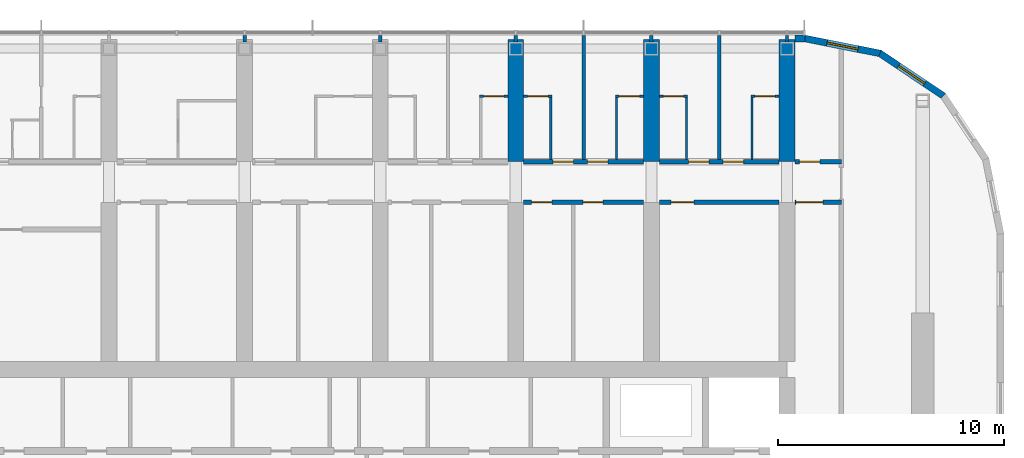
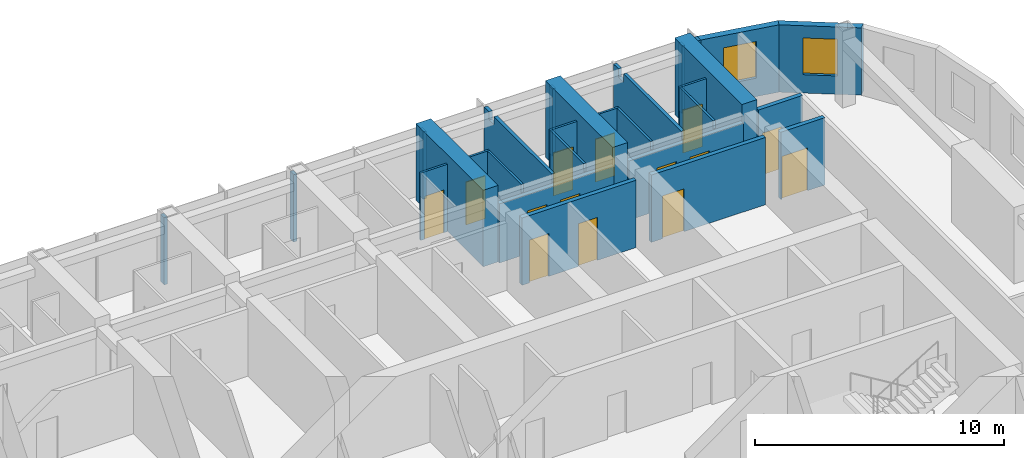
# One storey, part 18 of 24: 28 walls, 14 doors, 2 windows, 16 openings.
"""IFC4 building model written with IfcOpenShell, lengths in metres."""

from ifc_helpers import new_model, si_unit, direction, frame, frame_2d, origin, place, context, subcontext, project, spatial, polyline, rectangle, outline, extrude, material, layer, layer_set, type_object, element, fill, save


model = new_model("IFC4")

# Units and contexts
model_context = context("Model", 3, precision=1e-05, world=origin(), true_north=direction((0.0, 1.0)))
body_context = subcontext(model_context, "Body", "Model", "MODEL_VIEW")
ifc_project = project(units=[si_unit("LENGTHUNIT", "METRE"), si_unit("AREAUNIT", "SQUARE_METRE"), si_unit("VOLUMEUNIT", "CUBIC_METRE"), si_unit("PLANEANGLEUNIT", "RADIAN"), si_unit("MASSUNIT", "GRAM", prefix="KILO")], contexts=[model_context])

# Site, building, storey
site_placement = place(None, origin())
site = spatial("IfcSite", under=ifc_project, at=site_placement, CompositionType="ELEMENT")
building_placement = place(site_placement, origin())
building = spatial("IfcBuilding", under=site, at=building_placement, Name="Orbita Commons", CompositionType="ELEMENT")
storey_placement = place(building_placement, frame((0.0, 0.0, 242.800048828125)))
storey = spatial("IfcBuildingStorey", under=building, at=storey_placement, Name="L60", CompositionType="ELEMENT", Elevation=242.800048828125)

# Wall, openings, doors
ifc_material_1 = material(Name="Concrete blockwork", Category="masonry")
ifc_layer_1 = layer(ifc_material_1, 0.199951171875)
ifc_layer_set_1 = layer_set([ifc_layer_1], Name="Concrete blockwork")
wall_type_1 = type_object("IfcWallType", Name="Corridor wall 200 blockwork", PredefinedType="SOLIDWALL", material=ifc_layer_set_1)
wall_1_placement = place(storey_placement, frame((54.35009765625, 47.39990234375, 0.0), z_axis=(0.0, 0.0, 1.0), x_axis=(1.0, 0.0, 0.0)))
wall_1 = element("IfcWall", 1, at=wall_1_placement, inside=storey, type_object=wall_type_1, Name="Corridor wall 200 blockwork L60", PredefinedType="SOLIDWALL", context=body_context, shape_type="SweptSolid", body=[
    extrude(outline(polyline([(0.0, 0.0), (5.2998046875, 0.0), (5.300048828125, 2.89990234375), (0.0, 2.89990234375), (0.0, 0.0)])), frame((0.0, 0.10009765625, 0.0), z_axis=(0.0, -1.0, 0.0), x_axis=(1.0, 0.0, 0.0)), (0.0, 0.0, 1.0), 0.199951171875),
])
opening_1_placement = place(wall_1_placement, frame((1.300048828125, 0.0, 0.0)))
opening_1 = element("IfcOpeningElement", 2, at=opening_1_placement, cuts=wall_1, Name="Opening D11", PredefinedType="OPENING", context=body_context, shape_type="SweptSolid", body=[
    extrude(rectangle(XDim=0.89990234375, YDim=2.10009765625, at=frame_2d((0.449951171875, 1.050048828125))), frame((0.0, 0.10986328125, 0.0), z_axis=(0.0, -1.0, 0.0), x_axis=(1.0, 0.0, 0.0)), (0.0, 0.0, 1.0), 0.219970703125),
])
opening_2_placement = place(wall_1_placement, frame((2.824951171875, 0.0, 0.0)))
opening_2 = element("IfcOpeningElement", 3, at=opening_2_placement, cuts=wall_1, Name="Opening D11", PredefinedType="OPENING", context=body_context, shape_type="SweptSolid", body=[
    extrude(rectangle(XDim=0.89990234375, YDim=2.10009765625, at=frame_2d((0.449951171875, 1.050048828125))), frame((0.0, 0.10986328125, 0.0), z_axis=(0.0, -1.0, 0.0), x_axis=(1.0, 0.0, 0.0)), (0.0, 0.0, 1.0), 0.219970703125),
])
ifc_material_2 = material(Name="Steel-faced fire door leaf", Category="steel")
door_type_1 = type_object("IfcDoorType", Name="Corridor door 20 min 900x2100", OperationType="SINGLE_SWING_LEFT", PredefinedType="DOOR", material=ifc_material_2)
door_1_placement = place(opening_1_placement, origin())
door_1 = element("IfcDoor", 4, at=door_1_placement, inside=storey, type_object=door_type_1, Name="Cluster bedroom L60-N12 door", OperationType="SINGLE_SWING_LEFT", OverallHeight=2.10009765625, OverallWidth=0.89990234375, PredefinedType="DOOR", context=body_context, shape_type="SweptSolid", body=[
    extrude(rectangle(XDim=0.89990234375, YDim=2.10009765625, at=frame_2d((0.449951171875, 1.050048828125))), frame((0.0, 0.02490234375, 0.0), z_axis=(0.0, -1.0, 0.0), x_axis=(1.0, 0.0, 0.0)), (0.0, 0.0, 1.0), 0.050048828125),
])
fill(opening_1, door_1)
door_2_placement = place(opening_2_placement, origin())
door_2 = element("IfcDoor", 5, at=door_2_placement, inside=storey, type_object=door_type_1, Name="Cluster bedroom L60-N13 door", OperationType="SINGLE_SWING_LEFT", OverallHeight=2.10009765625, OverallWidth=0.89990234375, PredefinedType="DOOR", context=body_context, shape_type="SweptSolid", body=[
    extrude(rectangle(XDim=0.89990234375, YDim=2.10009765625, at=frame_2d((0.449951171875, 1.050048828125))), frame((0.0, 0.02490234375, 0.0), z_axis=(0.0, -1.0, 0.0), x_axis=(1.0, 0.0, 0.0)), (0.0, 0.0, 1.0), 0.050048828125),
])
fill(opening_2, door_2)

wall_2_placement = place(storey_placement, frame((60.35009765625, 47.39990234375, 0.0), z_axis=(0.0, 0.0, 1.0), x_axis=(1.0, 0.0, 0.0)))
wall_2 = element("IfcWall", 6, at=wall_2_placement, inside=storey, type_object=wall_type_1, Name="Corridor wall 200 blockwork L60", PredefinedType="SOLIDWALL", context=body_context, shape_type="SweptSolid", body=[
    extrude(outline(polyline([(0.0, 0.0), (5.2998046875, 0.0), (5.300048828125, 2.89990234375), (0.0, 2.89990234375), (0.0, 0.0)])), frame((0.0, 0.10009765625, 0.0), z_axis=(0.0, -1.0, 0.0), x_axis=(1.0, 0.0, 0.0)), (0.0, 0.0, 1.0), 0.199951171875),
])
opening_3_placement = place(wall_2_placement, frame((1.300048828125, 0.0, 0.0)))
opening_3 = element("IfcOpeningElement", 7, at=opening_3_placement, cuts=wall_2, Name="Opening D11", PredefinedType="OPENING", context=body_context, shape_type="SweptSolid", body=[
    extrude(rectangle(XDim=0.89990234375, YDim=2.10009765625, at=frame_2d((0.449951171875, 1.050048828125))), frame((0.0, 0.10986328125, 0.0), z_axis=(0.0, -1.0, 0.0), x_axis=(1.0, 0.0, 0.0)), (0.0, 0.0, 1.0), 0.219970703125),
])
opening_4_placement = place(wall_2_placement, frame((2.824951171875, 0.0, 0.0)))
opening_4 = element("IfcOpeningElement", 8, at=opening_4_placement, cuts=wall_2, Name="Opening D11", PredefinedType="OPENING", context=body_context, shape_type="SweptSolid", body=[
    extrude(rectangle(XDim=0.89990234375, YDim=2.10009765625, at=frame_2d((0.449951171875, 1.050048828125))), frame((0.0, 0.10986328125, 0.0), z_axis=(0.0, -1.0, 0.0), x_axis=(1.0, 0.0, 0.0)), (0.0, 0.0, 1.0), 0.219970703125),
])
door_3_placement = place(opening_3_placement, origin())
door_3 = element("IfcDoor", 9, at=door_3_placement, inside=storey, type_object=door_type_1, Name="Cluster bedroom L60-N14 door", OperationType="SINGLE_SWING_LEFT", OverallHeight=2.10009765625, OverallWidth=0.89990234375, PredefinedType="DOOR", context=body_context, shape_type="SweptSolid", body=[
    extrude(rectangle(XDim=0.89990234375, YDim=2.10009765625, at=frame_2d((0.449951171875, 1.050048828125))), frame((0.0, 0.02490234375, 0.0), z_axis=(0.0, -1.0, 0.0), x_axis=(1.0, 0.0, 0.0)), (0.0, 0.0, 1.0), 0.050048828125),
])
fill(opening_3, door_3)
door_4_placement = place(opening_4_placement, origin())
door_4 = element("IfcDoor", 10, at=door_4_placement, inside=storey, type_object=door_type_1, Name="Cluster bedroom L60-N15 door", OperationType="SINGLE_SWING_LEFT", OverallHeight=2.10009765625, OverallWidth=0.89990234375, PredefinedType="DOOR", context=body_context, shape_type="SweptSolid", body=[
    extrude(rectangle(XDim=0.89990234375, YDim=2.10009765625, at=frame_2d((0.449951171875, 1.050048828125))), frame((0.0, 0.02490234375, 0.0), z_axis=(0.0, -1.0, 0.0), x_axis=(1.0, 0.0, 0.0)), (0.0, 0.0, 1.0), 0.050048828125),
])
fill(opening_4, door_4)

# Wall, opening, door
wall_3_placement = place(storey_placement, frame((66.35009765625, 47.39990234375, 0.0), z_axis=(0.0, 0.0, 1.0), x_axis=(1.0, 0.0, 0.0)))
wall_3 = element("IfcWall", 11, at=wall_3_placement, inside=storey, type_object=wall_type_1, Name="Corridor wall 200 blockwork L60", PredefinedType="SOLIDWALL", context=body_context, shape_type="SweptSolid", body=[
    extrude(rectangle(XDim=2.0498046875, YDim=0.199951171875, at=frame_2d((1.02490234375, 0.0))), origin(), (0.0, 0.0, 1.0), 3.300048828125),
])
opening_5_placement = place(wall_3_placement, frame((0.199951171875, 0.0, 0.0)))
opening_5 = element("IfcOpeningElement", 12, at=opening_5_placement, cuts=wall_3, Name="Opening D05", PredefinedType="OPENING", context=body_context, shape_type="SweptSolid", body=[
    extrude(rectangle(XDim=0.89990234375, YDim=2.10009765625, at=frame_2d((0.449951171875, 1.050048828125))), frame((0.0, 0.10986328125, 0.0), z_axis=(0.0, -1.0, 0.0), x_axis=(1.0, 0.0, 0.0)), (0.0, 0.0, 1.0), 0.219970703125),
])
ifc_material_3 = material(Name="Steel-faced fire door leaf", Category="steel")
door_type_2 = type_object("IfcDoorType", Name="Service door 20 min 900x2100", OperationType="SINGLE_SWING_LEFT", PredefinedType="DOOR", material=ifc_material_3)
door_5_placement = place(opening_5_placement, origin())
door_5 = element("IfcDoor", 13, at=door_5_placement, inside=storey, type_object=door_type_2, Name="Linen store L60-KEN door", OperationType="SINGLE_SWING_LEFT", OverallHeight=2.10009765625, OverallWidth=0.89990234375, PredefinedType="DOOR", context=body_context, shape_type="SweptSolid", body=[
    extrude(rectangle(XDim=0.89990234375, YDim=2.10009765625, at=frame_2d((0.449951171875, 1.050048828125))), frame((0.0, 0.02490234375, 0.0), z_axis=(0.0, -1.0, 0.0), x_axis=(1.0, 0.0, 0.0)), (0.0, 0.0, 1.0), 0.050048828125),
])
fill(opening_5, door_5)

# Wall, openings, doors
ifc_material_4 = material(Name="Hollow concrete block 200", Category="concrete")
ifc_layer_2 = layer(ifc_material_4, 0.199951171875)
ifc_layer_set_2 = layer_set([ifc_layer_2], Name="Hollow concrete block 200")
wall_type_2 = type_object("IfcWallType", Name="Corridor wall 200 hollow concrete block", PredefinedType="SOLIDWALL", material=ifc_layer_set_2)
wall_4_placement = place(storey_placement, frame((54.35009765625, 45.60009765625, 0.0), z_axis=(0.0, 0.0, 1.0), x_axis=(1.0, 0.0, 0.0)))
wall_4 = element("IfcWall", 14, at=wall_4_placement, inside=storey, type_object=wall_type_2, Name="Corridor wall 200 hollow concrete block L60", PredefinedType="SOLIDWALL", context=body_context, shape_type="SweptSolid", body=[
    extrude(rectangle(XDim=5.2998046875, YDim=0.199951171875, at=frame_2d((2.64990234375, 0.0))), origin(), (0.0, 0.0, 1.0), 3.300048828125),
])
opening_6_placement = place(wall_4_placement, frame((0.35009765625, 0.0, 0.0)))
opening_6 = element("IfcOpeningElement", 15, at=opening_6_placement, cuts=wall_4, Name="Opening D11", PredefinedType="OPENING", context=body_context, shape_type="SweptSolid", body=[
    extrude(rectangle(XDim=0.89990234375, YDim=2.10009765625, at=frame_2d((0.449951171875, 1.050048828125))), frame((0.0, 0.10986328125, 0.0), z_axis=(0.0, -1.0, 0.0), x_axis=(1.0, 0.0, 0.0)), (0.0, 0.0, 1.0), 0.219970703125),
])
opening_7_placement = place(wall_4_placement, frame((2.614990234375, 0.0, 0.0)))
opening_7 = element("IfcOpeningElement", 16, at=opening_7_placement, cuts=wall_4, Name="Opening D11", PredefinedType="OPENING", context=body_context, shape_type="SweptSolid", body=[
    extrude(rectangle(XDim=0.89990234375, YDim=2.10009765625, at=frame_2d((0.449951171875, 1.050048828125))), frame((0.0, 0.10986328125, 0.0), z_axis=(0.0, -1.0, 0.0), x_axis=(1.0, 0.0, 0.0)), (0.0, 0.0, 1.0), 0.219970703125),
])
door_6_placement = place(opening_6_placement, origin())
door_6 = element("IfcDoor", 17, at=door_6_placement, inside=storey, type_object=door_type_1, Name="Sprinkler valve room L60-BDN54n door", OperationType="SINGLE_SWING_LEFT", OverallHeight=2.10009765625, OverallWidth=0.89990234375, PredefinedType="DOOR", context=body_context, shape_type="SweptSolid", body=[
    extrude(rectangle(XDim=0.89990234375, YDim=2.10009765625, at=frame_2d((0.449951171875, 1.050048828125))), frame((0.0, 0.02490234375, 0.0), z_axis=(0.0, -1.0, 0.0), x_axis=(1.0, 0.0, 0.0)), (0.0, 0.0, 1.0), 0.050048828125),
])
fill(opening_6, door_6)
door_7_placement = place(opening_7_placement, origin())
door_7 = element("IfcDoor", 18, at=door_7_placement, inside=storey, type_object=door_type_1, Name="Storage lockers L60-BDN54 door", OperationType="SINGLE_SWING_LEFT", OverallHeight=2.10009765625, OverallWidth=0.89990234375, PredefinedType="DOOR", context=body_context, shape_type="SweptSolid", body=[
    extrude(rectangle(XDim=0.89990234375, YDim=2.10009765625, at=frame_2d((0.449951171875, 1.050048828125))), frame((0.0, 0.02490234375, 0.0), z_axis=(0.0, -1.0, 0.0), x_axis=(1.0, 0.0, 0.0)), (0.0, 0.0, 1.0), 0.050048828125),
])
fill(opening_7, door_7)

# Wall, opening, door
wall_5_placement = place(storey_placement, frame((60.35009765625, 45.60009765625, 0.0), z_axis=(0.0, 0.0, 1.0), x_axis=(1.0, 0.0, 0.0)))
wall_5 = element("IfcWall", 19, at=wall_5_placement, inside=storey, type_object=wall_type_2, Name="Corridor wall 200 hollow concrete block L60", PredefinedType="SOLIDWALL", context=body_context, shape_type="SweptSolid", body=[
    extrude(rectangle(XDim=5.2998046875, YDim=0.199951171875, at=frame_2d((2.64990234375, 0.0))), origin(), (0.0, 0.0, 1.0), 3.300048828125),
])
opening_8_placement = place(wall_5_placement, frame((0.52490234375, 0.0, 0.0)))
opening_8 = element("IfcOpeningElement", 20, at=opening_8_placement, cuts=wall_5, Name="Opening D06", PredefinedType="OPENING", context=body_context, shape_type="SweptSolid", body=[
    extrude(rectangle(XDim=1.0, YDim=2.10009765625, at=frame_2d((0.5, 1.050048828125))), frame((0.0, 0.10986328125, 0.0), z_axis=(0.0, -1.0, 0.0), x_axis=(1.0, 0.0, 0.0)), (0.0, 0.0, 1.0), 0.219970703125),
])
ifc_material_5 = material(Name="Steel-faced fire door leaf", Category="steel")
door_type_3 = type_object("IfcDoorType", Name="Corridor door 20 min 1000x2100", OperationType="SINGLE_SWING_LEFT", PredefinedType="DOOR", material=ifc_material_5)
door_8_placement = place(opening_8_placement, origin())
door_8 = element("IfcDoor", 21, at=door_8_placement, inside=storey, type_object=door_type_3, Name="Store L60-BDN60 door", OperationType="SINGLE_SWING_LEFT", OverallHeight=2.10009765625, OverallWidth=1.0, PredefinedType="DOOR", context=body_context, shape_type="SweptSolid", body=[
    extrude(rectangle(XDim=1.0, YDim=2.10009765625, at=frame_2d((0.5, 1.050048828125))), frame((0.0, 0.02490234375, 0.0), z_axis=(0.0, -1.0, 0.0), x_axis=(1.0, 0.0, 0.0)), (0.0, 0.0, 1.0), 0.050048828125),
])
fill(opening_8, door_8)

wall_6_placement = place(storey_placement, frame((66.35009765625, 45.60009765625, 0.0), z_axis=(0.0, 0.0, 1.0), x_axis=(1.0, 0.0, 0.0)))
wall_6 = element("IfcWall", 22, at=wall_6_placement, inside=storey, type_object=wall_type_2, Name="Corridor wall 200 hollow concrete block L60", PredefinedType="SOLIDWALL", context=body_context, shape_type="SweptSolid", body=[
    extrude(rectangle(XDim=2.0498046875, YDim=0.199951171875, at=frame_2d((1.02490234375, 0.0))), origin(), (0.0, 0.0, 1.0), 3.300048828125),
])
opening_9_placement = place(wall_6_placement, frame((0.050048828125, 0.0, 0.0)))
opening_9 = element("IfcOpeningElement", 23, at=opening_9_placement, cuts=wall_6, Name="Opening D12", PredefinedType="OPENING", context=body_context, shape_type="SweptSolid", body=[
    extrude(rectangle(XDim=1.199951171875, YDim=2.10009765625, at=frame_2d((0.60009765625, 1.050048828125))), frame((0.0, 0.10986328125, 0.0), z_axis=(0.0, -1.0, 0.0), x_axis=(1.0, 0.0, 0.0)), (0.0, 0.0, 1.0), 0.219970703125),
])
ifc_material_6 = material(Name="Steel-faced fire door leaf", Category="steel")
door_type_4 = type_object("IfcDoorType", Name="Double corridor door 20 min 1200x2100", OperationType="DOUBLE_DOOR_SINGLE_SWING", PredefinedType="DOOR", material=ifc_material_6)
door_9_placement = place(opening_9_placement, origin())
door_9 = element("IfcDoor", 24, at=door_9_placement, inside=storey, type_object=door_type_4, Name="Cross corridor doors", OperationType="DOUBLE_DOOR_SINGLE_SWING", OverallHeight=2.10009765625, OverallWidth=1.199951171875, PredefinedType="DOOR", context=body_context, shape_type="SweptSolid", body=[
    extrude(rectangle(XDim=1.199951171875, YDim=2.10009765625, at=frame_2d((0.60009765625, 1.050048828125))), frame((0.0, 0.02490234375, 0.0), z_axis=(0.0, -1.0, 0.0), x_axis=(1.0, 0.0, 0.0)), (0.0, 0.0, 1.0), 0.050048828125),
])
fill(opening_9, door_9)

# Walls
ifc_material_7 = material(Name="Concrete C50/60", Category="concrete")
ifc_layer_3 = layer(ifc_material_7, 0.699951171875)
ifc_layer_set_3 = layer_set([ifc_layer_3], Name="Concrete C50/60")
wall_type_3 = type_object("IfcWallType", Name="Cross wall 700 C50/60", PredefinedType="SHEAR", material=ifc_layer_set_3)
for number, where, z_axis, x_axis, name in (
    (25, (54.0, 47.39990234375, 0.0), (0.0, 0.0, 1.0), (0.0, 1.0, 0.0), "Cross wall 10 north outer L60"),
    (26, (60.0, 47.39990234375, 0.0), (0.0, 0.0, 1.0), (0.0, 1.0, 0.0), "Cross wall 11 north outer L60"),
    (27, (66.0, 47.39990234375, 0.0), (0.0, 0.0, 1.0), (0.0, 1.0, 0.0), "Cross wall 12 north outer L60"),
):
    element("IfcWall", number, at=place(storey_placement, frame(where, z_axis=z_axis, x_axis=x_axis)), inside=storey, type_object=wall_type_3, Name=name, PredefinedType="SHEAR", context=body_context, shape_type="SweptSolid", body=[
        extrude(rectangle(XDim=5.400146484375, YDim=0.699951171875, at=frame_2d((2.7001953125, 0.0))), origin(), (0.0, 0.0, 1.0), 3.75),
    ])

# Wall, opening, door
ifc_material_8 = material(Name="Moisture-resistant plasterboard on steel studs", Category="steel")
ifc_layer_4 = layer(ifc_material_8, 0.10009765625)
ifc_layer_set_4 = layer_set([ifc_layer_4], Name="Moisture-resistant plasterboard on steel studs")
wall_type_4 = type_object("IfcWallType", Name="En-suite partition 100", PredefinedType="PARTITIONING", material=ifc_layer_set_4)
wall_7_placement = place(storey_placement, frame((52.39990234375, 50.300048828125, 0.0), z_axis=(0.0, 0.0, 1.0), x_axis=(1.0, 0.0, 0.0)))
wall_7 = element("IfcWall", 28, at=wall_7_placement, inside=storey, type_object=wall_type_4, Name="En-suite partition 100 L60", PredefinedType="PARTITIONING", context=body_context, shape_type="SweptSolid", body=[
    extrude(rectangle(XDim=1.25, YDim=0.10009765625, at=frame_2d((0.625, 0.0))), origin(), (0.0, 0.0, 1.0), 3.300048828125),
])
opening_10_placement = place(wall_7_placement, frame((0.175048828125, 0.0, 0.0)))
opening_10 = element("IfcOpeningElement", 29, at=opening_10_placement, cuts=wall_7, Name="Opening D09", PredefinedType="OPENING", context=body_context, shape_type="SweptSolid", body=[
    extrude(rectangle(XDim=0.89990234375, YDim=2.10009765625, at=frame_2d((0.449951171875, 1.050048828125))), frame((0.0, 0.06005859375, 0.0), z_axis=(0.0, -1.0, 0.0), x_axis=(1.0, 0.0, 0.0)), (0.0, 0.0, 1.0), 0.1201171875),
])
ifc_material_9 = material(Name="Laminated timber door leaf", Category="wood")
door_type_5 = type_object("IfcDoorType", Name="En-suite door 900x2100", OperationType="SINGLE_SWING_RIGHT", PredefinedType="DOOR", material=ifc_material_9)
door_10_placement = place(opening_10_placement, origin())
door_10 = element("IfcDoor", 30, at=door_10_placement, inside=storey, type_object=door_type_5, Name="En-suite L60-N11 door", OperationType="SINGLE_SWING_RIGHT", OverallHeight=2.10009765625, OverallWidth=0.89990234375, PredefinedType="DOOR", context=body_context, shape_type="SweptSolid", body=[
    extrude(rectangle(XDim=0.89990234375, YDim=2.10009765625, at=frame_2d((0.449951171875, 1.050048828125))), frame((0.0, 0.02490234375, 0.0), z_axis=(0.0, -1.0, 0.0), x_axis=(1.0, 0.0, 0.0)), (0.0, 0.0, 1.0), 0.050048828125),
])
fill(opening_10, door_10)

wall_8_placement = place(storey_placement, frame((54.35009765625, 50.300048828125, 0.0), z_axis=(0.0, 0.0, 1.0), x_axis=(1.0, 0.0, 0.0)))
wall_8 = element("IfcWall", 31, at=wall_8_placement, inside=storey, type_object=wall_type_4, Name="En-suite partition 100 L60", PredefinedType="PARTITIONING", context=body_context, shape_type="SweptSolid", body=[
    extrude(rectangle(XDim=1.25, YDim=0.10009765625, at=frame_2d((0.625, 0.0))), origin(), (0.0, 0.0, 1.0), 3.300048828125),
])
opening_11_placement = place(wall_8_placement, frame((0.175048828125, 0.0, 0.0)))
opening_11 = element("IfcOpeningElement", 32, at=opening_11_placement, cuts=wall_8, Name="Opening D09", PredefinedType="OPENING", context=body_context, shape_type="SweptSolid", body=[
    extrude(rectangle(XDim=0.89990234375, YDim=2.10009765625, at=frame_2d((0.449951171875, 1.050048828125))), frame((0.0, 0.06005859375, 0.0), z_axis=(0.0, -1.0, 0.0), x_axis=(1.0, 0.0, 0.0)), (0.0, 0.0, 1.0), 0.1201171875),
])
door_11_placement = place(opening_11_placement, origin())
door_11 = element("IfcDoor", 33, at=door_11_placement, inside=storey, type_object=door_type_5, Name="En-suite L60-N12 door", OperationType="SINGLE_SWING_RIGHT", OverallHeight=2.10009765625, OverallWidth=0.89990234375, PredefinedType="DOOR", context=body_context, shape_type="SweptSolid", body=[
    extrude(rectangle(XDim=0.89990234375, YDim=2.10009765625, at=frame_2d((0.449951171875, 1.050048828125))), frame((0.0, 0.02490234375, 0.0), z_axis=(0.0, -1.0, 0.0), x_axis=(1.0, 0.0, 0.0)), (0.0, 0.0, 1.0), 0.050048828125),
])
fill(opening_11, door_11)

# Wall
wall_9_placement = place(storey_placement, frame((55.550048828125, 50.25, 0.0), z_axis=(0.0, 0.0, 1.0), x_axis=(0.0, -1.0, 0.0)))
element("IfcWall", 34, at=wall_9_placement, inside=storey, type_object=wall_type_4, Name="En-suite partition 100 L60", PredefinedType="PARTITIONING", context=body_context, shape_type="SweptSolid", body=[
    extrude(outline(polyline([(0.0, 0.0), (2.75, 0.0), (2.75, 2.89990234375), (2.701904296875, 2.89990234375), (2.699951171875, 3.300048828125), (0.0, 3.300048828125), (0.0, 0.0)])), frame((0.0, 0.050048828125, 0.0), z_axis=(0.0, -1.0, 0.0), x_axis=(1.0, 0.0, 0.0)), (0.0, 0.0, 1.0), 0.10009765625),
])

# Wall, opening, door
wall_10_placement = place(storey_placement, frame((58.39990234375, 50.300048828125, 0.0), z_axis=(0.0, 0.0, 1.0), x_axis=(1.0, 0.0, 0.0)))
wall_10 = element("IfcWall", 35, at=wall_10_placement, inside=storey, type_object=wall_type_4, Name="En-suite partition 100 L60", PredefinedType="PARTITIONING", context=body_context, shape_type="SweptSolid", body=[
    extrude(rectangle(XDim=1.25, YDim=0.10009765625, at=frame_2d((0.625, 0.0))), origin(), (0.0, 0.0, 1.0), 3.300048828125),
])
opening_12_placement = place(wall_10_placement, frame((0.175048828125, 0.0, 0.0)))
opening_12 = element("IfcOpeningElement", 36, at=opening_12_placement, cuts=wall_10, Name="Opening D09", PredefinedType="OPENING", context=body_context, shape_type="SweptSolid", body=[
    extrude(rectangle(XDim=0.89990234375, YDim=2.10009765625, at=frame_2d((0.449951171875, 1.050048828125))), frame((0.0, 0.06005859375, 0.0), z_axis=(0.0, -1.0, 0.0), x_axis=(1.0, 0.0, 0.0)), (0.0, 0.0, 1.0), 0.1201171875),
])
door_12_placement = place(opening_12_placement, origin())
door_12 = element("IfcDoor", 37, at=door_12_placement, inside=storey, type_object=door_type_5, Name="En-suite L60-N13 door", OperationType="SINGLE_SWING_RIGHT", OverallHeight=2.10009765625, OverallWidth=0.89990234375, PredefinedType="DOOR", context=body_context, shape_type="SweptSolid", body=[
    extrude(rectangle(XDim=0.89990234375, YDim=2.10009765625, at=frame_2d((0.449951171875, 1.050048828125))), frame((0.0, 0.02490234375, 0.0), z_axis=(0.0, -1.0, 0.0), x_axis=(1.0, 0.0, 0.0)), (0.0, 0.0, 1.0), 0.050048828125),
])
fill(opening_12, door_12)

# Wall
wall_11_placement = place(storey_placement, frame((58.449951171875, 50.25, 0.0), z_axis=(0.0, 0.0, 1.0), x_axis=(0.0, -1.0, 0.0)))
element("IfcWall", 38, at=wall_11_placement, inside=storey, type_object=wall_type_4, Name="En-suite partition 100 L60", PredefinedType="PARTITIONING", context=body_context, shape_type="SweptSolid", body=[
    extrude(outline(polyline([(0.0, 0.0), (2.75, 0.0), (2.75, 2.89990234375), (2.701904296875, 2.89990234375), (2.699951171875, 3.300048828125), (0.0, 3.300048828125), (0.0, 0.0)])), frame((0.0, 0.050048828125, 0.0), z_axis=(0.0, -1.0, 0.0), x_axis=(1.0, 0.0, 0.0)), (0.0, 0.0, 1.0), 0.10009765625),
])

# Wall, opening, door
wall_12_placement = place(storey_placement, frame((60.35009765625, 50.300048828125, 0.0), z_axis=(0.0, 0.0, 1.0), x_axis=(1.0, 0.0, 0.0)))
wall_12 = element("IfcWall", 39, at=wall_12_placement, inside=storey, type_object=wall_type_4, Name="En-suite partition 100 L60", PredefinedType="PARTITIONING", context=body_context, shape_type="SweptSolid", body=[
    extrude(rectangle(XDim=1.25, YDim=0.10009765625, at=frame_2d((0.625, 0.0))), origin(), (0.0, 0.0, 1.0), 3.300048828125),
])
opening_13_placement = place(wall_12_placement, frame((0.175048828125, 0.0, 0.0)))
opening_13 = element("IfcOpeningElement", 40, at=opening_13_placement, cuts=wall_12, Name="Opening D09", PredefinedType="OPENING", context=body_context, shape_type="SweptSolid", body=[
    extrude(rectangle(XDim=0.89990234375, YDim=2.10009765625, at=frame_2d((0.449951171875, 1.050048828125))), frame((0.0, 0.06005859375, 0.0), z_axis=(0.0, -1.0, 0.0), x_axis=(1.0, 0.0, 0.0)), (0.0, 0.0, 1.0), 0.1201171875),
])
door_13_placement = place(opening_13_placement, origin())
door_13 = element("IfcDoor", 41, at=door_13_placement, inside=storey, type_object=door_type_5, Name="En-suite L60-N14 door", OperationType="SINGLE_SWING_RIGHT", OverallHeight=2.10009765625, OverallWidth=0.89990234375, PredefinedType="DOOR", context=body_context, shape_type="SweptSolid", body=[
    extrude(rectangle(XDim=0.89990234375, YDim=2.10009765625, at=frame_2d((0.449951171875, 1.050048828125))), frame((0.0, 0.02490234375, 0.0), z_axis=(0.0, -1.0, 0.0), x_axis=(1.0, 0.0, 0.0)), (0.0, 0.0, 1.0), 0.050048828125),
])
fill(opening_13, door_13)

# Wall
wall_13_placement = place(storey_placement, frame((61.550048828125, 50.25, 0.0), z_axis=(0.0, 0.0, 1.0), x_axis=(0.0, -1.0, 0.0)))
element("IfcWall", 42, at=wall_13_placement, inside=storey, type_object=wall_type_4, Name="En-suite partition 100 L60", PredefinedType="PARTITIONING", context=body_context, shape_type="SweptSolid", body=[
    extrude(outline(polyline([(0.0, 0.0), (2.75, 0.0), (2.75, 2.89990234375), (2.701904296875, 2.89990234375), (2.699951171875, 3.300048828125), (0.0, 3.300048828125), (0.0, 0.0)])), frame((0.0, 0.050048828125, 0.0), z_axis=(0.0, -1.0, 0.0), x_axis=(1.0, 0.0, 0.0)), (0.0, 0.0, 1.0), 0.10009765625),
])

# Wall, opening, door
wall_14_placement = place(storey_placement, frame((64.39990234375, 50.300048828125, 0.0), z_axis=(0.0, 0.0, 1.0), x_axis=(1.0, 0.0, 0.0)))
wall_14 = element("IfcWall", 43, at=wall_14_placement, inside=storey, type_object=wall_type_4, Name="En-suite partition 100 L60", PredefinedType="PARTITIONING", context=body_context, shape_type="SweptSolid", body=[
    extrude(rectangle(XDim=1.25, YDim=0.10009765625, at=frame_2d((0.625, 0.0))), origin(), (0.0, 0.0, 1.0), 3.300048828125),
])
opening_14_placement = place(wall_14_placement, frame((0.175048828125, 0.0, 0.0)))
opening_14 = element("IfcOpeningElement", 44, at=opening_14_placement, cuts=wall_14, Name="Opening D09", PredefinedType="OPENING", context=body_context, shape_type="SweptSolid", body=[
    extrude(rectangle(XDim=0.89990234375, YDim=2.10009765625, at=frame_2d((0.449951171875, 1.050048828125))), frame((0.0, 0.06005859375, 0.0), z_axis=(0.0, -1.0, 0.0), x_axis=(1.0, 0.0, 0.0)), (0.0, 0.0, 1.0), 0.1201171875),
])
door_14_placement = place(opening_14_placement, origin())
door_14 = element("IfcDoor", 45, at=door_14_placement, inside=storey, type_object=door_type_5, Name="En-suite L60-N15 door", OperationType="SINGLE_SWING_RIGHT", OverallHeight=2.10009765625, OverallWidth=0.89990234375, PredefinedType="DOOR", context=body_context, shape_type="SweptSolid", body=[
    extrude(rectangle(XDim=0.89990234375, YDim=2.10009765625, at=frame_2d((0.449951171875, 1.050048828125))), frame((0.0, 0.02490234375, 0.0), z_axis=(0.0, -1.0, 0.0), x_axis=(1.0, 0.0, 0.0)), (0.0, 0.0, 1.0), 0.050048828125),
])
fill(opening_14, door_14)

# Walls
wall_15_placement = place(storey_placement, frame((64.449951171875, 50.25, 0.0), z_axis=(0.0, 0.0, 1.0), x_axis=(0.0, -1.0, 0.0)))
element("IfcWall", 46, at=wall_15_placement, inside=storey, type_object=wall_type_4, Name="En-suite partition 100 L60", PredefinedType="PARTITIONING", context=body_context, shape_type="SweptSolid", body=[
    extrude(outline(polyline([(0.0, 0.0), (2.75, 0.0), (2.75, 2.89990234375), (2.701904296875, 2.89990234375), (2.699951171875, 3.300048828125), (0.0, 3.300048828125), (0.0, 0.0)])), frame((0.0, 0.050048828125, 0.0), z_axis=(0.0, -1.0, 0.0), x_axis=(1.0, 0.0, 0.0)), (0.0, 0.0, 1.0), 0.10009765625),
])
ifc_material_10 = material(Name="Gypsum plasterboard on steel studs", Category="steel")
ifc_layer_5 = layer(ifc_material_10, 0.14990234375)
ifc_layer_set_5 = layer_set([ifc_layer_5], Name="Gypsum plasterboard on steel studs")
wall_type_5 = type_object("IfcWallType", Name="Partition 150 plasterboard", PredefinedType="PARTITIONING", material=ifc_layer_set_5)
for number, where, z_axis, x_axis, name in (
    (47, (42.0, 52.699951171875, 0.0), (0.0, 0.0, 1.0), (0.0, 1.0, 0.0), "Partition 150 plasterboard L60"),
    (48, (48.0, 52.699951171875, 0.0), (0.0, 0.0, 1.0), (0.0, 1.0, 0.0), "Partition 150 plasterboard L60"),
    (49, (54.0, 52.699951171875, 0.0), (0.0, 0.0, 1.0), (0.0, 1.0, 0.0), "Partition 150 plasterboard L60"),
    (50, (60.0, 52.699951171875, 0.0), (0.0, 0.0, 1.0), (0.0, 1.0, 0.0), "Partition 150 plasterboard L60"),
    (51, (66.0, 52.699951171875, 0.0), (0.0, 0.0, 1.0), (0.0, 1.0, 0.0), "Partition 150 plasterboard L60"),
):
    element("IfcWall", number, at=place(storey_placement, frame(where, z_axis=z_axis, x_axis=x_axis)), inside=storey, type_object=wall_type_5, Name=name, PredefinedType="PARTITIONING", context=body_context, shape_type="SweptSolid", body=[
        extrude(rectangle(XDim=0.2900390625, YDim=0.14990234375, at=frame_2d((0.14501953125, 0.0))), origin(), (0.0, 0.0, 1.0), 3.300048828125),
    ])
ifc_material_11 = material(Name="Gypsum plasterboard on steel studs", Category="steel")
ifc_layer_6 = layer(ifc_material_11, 0.14990234375)
ifc_layer_set_6 = layer_set([ifc_layer_6], Name="Gypsum plasterboard on steel studs")
wall_type_6 = type_object("IfcWallType", Name="Party wall 150 plasterboard", PredefinedType="PARTITIONING", material=ifc_layer_set_6)
for number, where, z_axis, x_axis, name in (
    (52, (57.0, 52.989990234375, 0.0), (0.0, 0.0, 1.0), (0.0, -1.0, 0.0), "Party wall 150 plasterboard L60"),
    (53, (63.0, 52.989990234375, 0.0), (0.0, 0.0, 1.0), (0.0, -1.0, 0.0), "Party wall 150 plasterboard L60"),
):
    element("IfcWall", number, at=place(storey_placement, frame(where, z_axis=z_axis, x_axis=x_axis)), inside=storey, type_object=wall_type_6, Name=name, PredefinedType="PARTITIONING", context=body_context, shape_type="SweptSolid", body=[
        extrude(outline(polyline([(0.0, 0.0), (5.489990234375, 0.0), (5.489990234375, 2.89990234375), (5.44189453125, 2.89990234375), (5.43994140625, 3.300048828125), (0.7919921875, 3.300048828125), (0.7900390625, 2.89990234375), (0.39208984375, 2.89990234375), (0.389892578125, 3.300048828125), (0.0, 3.300048828125), (0.0, 0.0)])), frame((0.0, 0.074951171875, 0.0), z_axis=(0.0, -1.0, 0.0), x_axis=(1.0, 0.0, 0.0)), (0.0, 0.0, 1.0), 0.14990234375),
    ])

# Wall, opening, window
ifc_material_12 = material(Name="Precast concrete C40/50, white board-marked finish", Category="concrete")
ifc_layer_7 = layer(ifc_material_12, 0.300048828125)
ifc_layer_set_7 = layer_set([ifc_layer_7], Name="Precast concrete C40/50, white board-marked finish")
wall_type_7 = type_object("IfcWallType", Name="Precast concrete end shield 300", PredefinedType="SOLIDWALL", material=ifc_layer_set_7)
wall_16_placement = place(storey_placement, frame((72.91650390625, 50.31640625, 0.0), z_axis=(0.0, 0.0, 1.0), x_axis=(-0.831460037396, 0.555584562613, 0.0)))
wall_16 = element("IfcWall", 54, at=wall_16_placement, inside=storey, type_object=wall_type_7, Name="End shield NE chord 3 L60", PredefinedType="SOLIDWALL", context=body_context, shape_type="SweptSolid", body=[
    extrude(outline(polyline([(-0.02978515625, -0.14990234375), (3.405029296875, -0.14990234375), (3.345458984375, 0.14990234375), (0.02978515625, 0.14990234375), (-0.02978515625, -0.14990234375)])), origin(), (0.0, 0.0, 1.0), 3.300048828125),
])
opening_15_placement = place(wall_16_placement, frame((0.987548828125, 0.0, 0.89990234375)))
opening_15 = element("IfcOpeningElement", 55, at=opening_15_placement, cuts=wall_16, Name="Opening W02", PredefinedType="OPENING", context=body_context, shape_type="SweptSolid", body=[
    extrude(rectangle(XDim=1.39990234375, YDim=1.800048828125, at=frame_2d((0.699951171875, 0.89990234375))), frame((0.0, 0.159912109375, 0.0), z_axis=(0.0, -1.0, 0.0), x_axis=(1.0, 0.0, 0.0)), (0.0, 0.0, 1.0), 0.320068359375),
])
ifc_material_13 = material(Name="Aluminium frame, clear double glazing", Category="aluminium")
window_type = type_object("IfcWindowType", Name="Deep-set window 1400x1800", PartitioningType="SINGLE_PANEL", PredefinedType="WINDOW", material=ifc_material_13)
window_1_placement = place(opening_15_placement, origin())
window_1 = element("IfcWindow", 56, at=window_1_placement, inside=storey, type_object=window_type, Name="Window L60-NE2", OverallHeight=1.800048828125, OverallWidth=1.39990234375, PartitioningType="SINGLE_PANEL", PredefinedType="WINDOW", context=body_context, shape_type="SweptSolid", body=[
    extrude(rectangle(XDim=1.39990234375, YDim=1.800048828125, at=frame_2d((0.699951171875, 0.89990234375))), frame((0.0, 0.030029296875, 0.0), z_axis=(0.0, -1.0, 0.0), x_axis=(1.0, 0.0, 0.0)), (0.0, 0.0, 1.0), 0.06005859375),
])
fill(opening_15, window_1)

wall_17_placement = place(storey_placement, frame((70.110107421875, 52.191650390625, 0.0), z_axis=(0.0, 0.0, 1.0), x_axis=(-0.98078325777, 0.195100490205, 0.0)))
wall_17 = element("IfcWall", 57, at=wall_17_placement, inside=storey, type_object=wall_type_7, Name="End shield NE chord 4 L60", PredefinedType="SOLIDWALL", context=body_context, shape_type="SweptSolid", body=[
    extrude(outline(polyline([(-0.02978515625, -0.14990234375), (3.40478515625, -0.14990234375), (3.34521484375, 0.14990234375), (0.02978515625, 0.14990234375), (-0.02978515625, -0.14990234375)])), origin(), (0.0, 0.0, 1.0), 3.300048828125),
])
opening_16_placement = place(wall_17_placement, frame((0.987548828125, 0.0, 0.89990234375)))
opening_16 = element("IfcOpeningElement", 58, at=opening_16_placement, cuts=wall_17, Name="Opening W02", PredefinedType="OPENING", context=body_context, shape_type="SweptSolid", body=[
    extrude(rectangle(XDim=1.39990234375, YDim=1.800048828125, at=frame_2d((0.699951171875, 0.89990234375))), frame((0.0, 0.159912109375, 0.0), z_axis=(0.0, -1.0, 0.0), x_axis=(1.0, 0.0, 0.0)), (0.0, 0.0, 1.0), 0.320068359375),
])
window_2_placement = place(opening_16_placement, origin())
window_2 = element("IfcWindow", 59, at=window_2_placement, inside=storey, type_object=window_type, Name="Window L60-NE3", OverallHeight=1.800048828125, OverallWidth=1.39990234375, PartitioningType="SINGLE_PANEL", PredefinedType="WINDOW", context=body_context, shape_type="SweptSolid", body=[
    extrude(rectangle(XDim=1.39990234375, YDim=1.800048828125, at=frame_2d((0.699951171875, 0.89990234375))), frame((0.0, 0.030029296875, 0.0), z_axis=(0.0, -1.0, 0.0), x_axis=(1.0, 0.0, 0.0)), (0.0, 0.0, 1.0), 0.06005859375),
])
fill(opening_16, window_2)

# Wall
wall_18_placement = place(storey_placement, frame((66.800048828125, 52.85009765625, 0.0), z_axis=(0.0, 0.0, 1.0), x_axis=(-1.0, 0.0, 0.0)))
element("IfcWall", 60, at=wall_18_placement, inside=storey, type_object=wall_type_7, Name="End shield NE closer L60", PredefinedType="SOLIDWALL", context=body_context, shape_type="SweptSolid", body=[
    extrude(rectangle(XDim=0.449951171875, YDim=0.300048828125, at=frame_2d((0.22509765625, 0.0))), origin(), (0.0, 0.0, 1.0), 3.300048828125),
])

save(model, "model.ifc")
